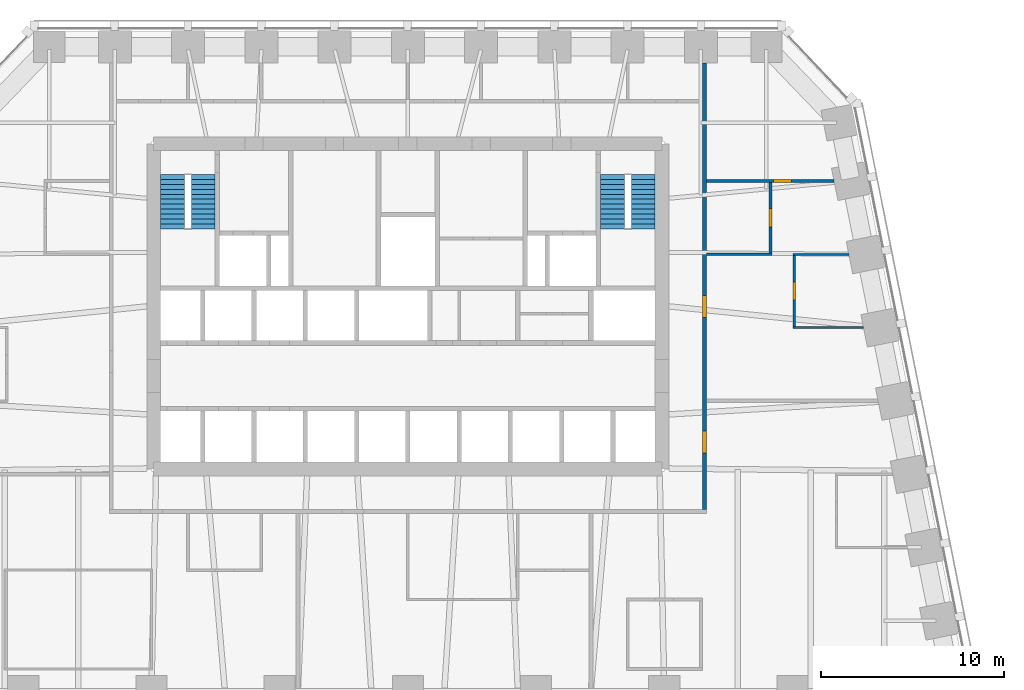
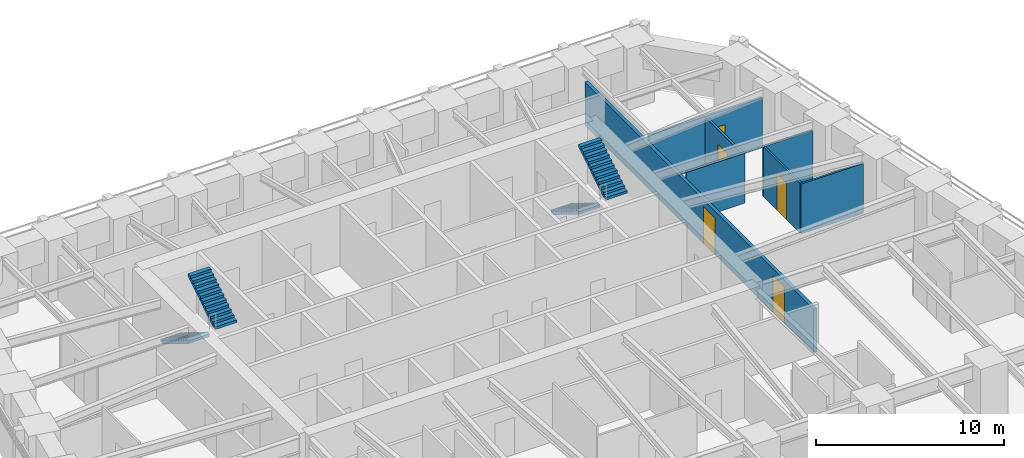
# One storey, part 8 of 10: 7 walls, 5 doors, 4 stair flights, 5 openings, 2 elements without a shape of their own.
"""IFC4 building model written with IfcOpenShell, lengths in metres."""

from ifc_helpers import new_model, si_unit, direction, frame, frame_2d, origin, place, context, subcontext, project, spatial, polyline, rectangle, outline, extrude, material, layer, layer_set, type_object, element, fill, aggregate, save


model = new_model("IFC4")

# Units and contexts
model_context = context("Model", 3, precision=1e-05, world=origin(), true_north=direction((0.0, 1.0)))
body_context = subcontext(model_context, "Body", "Model", "MODEL_VIEW")
ifc_project = project(units=[si_unit("LENGTHUNIT", "METRE"), si_unit("AREAUNIT", "SQUARE_METRE"), si_unit("VOLUMEUNIT", "CUBIC_METRE"), si_unit("PLANEANGLEUNIT", "RADIAN"), si_unit("MASSUNIT", "GRAM", prefix="KILO")], contexts=[model_context])

# Site, building, storey
site_placement = place(None, origin())
site = spatial("IfcSite", under=ifc_project, at=site_placement, CompositionType="ELEMENT")
building_placement = place(site_placement, origin())
building = spatial("IfcBuilding", under=site, at=building_placement, Name="Isbrekke Arena Tower", CompositionType="ELEMENT")
storey_placement = place(building_placement, frame((0.0, 0.0, 155.0)))
storey = spatial("IfcBuildingStorey", under=building, at=storey_placement, Name="L35", CompositionType="ELEMENT", Elevation=155.0)

# Wall
ifc_material_1 = material(Name="Gypsum board partition on steel studs", Category="steel")
ifc_layer_1 = layer(ifc_material_1, 0.14990234375)
ifc_layer_set_1 = layer_set([ifc_layer_1], Name="IW1 PARTITION 150")
wall_type_1 = type_object("IfcWallType", Name="IW1 PARTITION 150", PredefinedType="PARTITIONING", material=ifc_layer_set_1)
wall_1_placement = place(storey_placement, frame((16.300048828125, 17.840087890625, 0.0), z_axis=(0.0, 0.0, 1.0), x_axis=(1.0, 0.0, 0.0)))
element("IfcWall", 1, at=wall_1_placement, inside=storey, type_object=wall_type_1, Name="IW1 partition 150 L35", PredefinedType="PARTITIONING", context=body_context, shape_type="SweptSolid", body=[
    extrude(rectangle(XDim=3.574951171875, YDim=0.14990234375, at=frame_2d((1.78759765625, 0.0))), origin(), (0.0, 0.0, 1.0), 3.25),
])

# Wall, opening, door
wall_2_placement = place(storey_placement, frame((16.300048828125, 21.840087890625, 0.0), z_axis=(0.0, 0.0, 1.0), x_axis=(1.0, 0.0, 0.0)))
wall_2 = element("IfcWall", 2, at=wall_2_placement, inside=storey, type_object=wall_type_1, Name="IW1 partition 150 L35", PredefinedType="PARTITIONING", context=body_context, shape_type="SweptSolid", body=[
    extrude(rectangle(XDim=6.97265625, YDim=0.14990234375, at=frame_2d((3.486328125, 0.0))), origin(), (0.0, 0.0, 1.0), 3.25),
])
opening_1_placement = place(wall_2_placement, frame((3.6591796875, 0.0, 0.0)))
opening_1 = element("IfcOpeningElement", 3, at=opening_1_placement, cuts=wall_2, Name="Opening D10", PredefinedType="OPENING", context=body_context, shape_type="SweptSolid", body=[
    extrude(rectangle(XDim=1.0, YDim=2.300048828125, at=frame_2d((0.5, 1.14990234375))), frame((0.0, 0.08984375, 0.0), z_axis=(0.0, -1.0, 0.0), x_axis=(1.0, 0.0, 0.0)), (0.0, 0.0, 1.0), 0.1796875),
])
ifc_material_2 = material(Name="Timber door", Category="wood")
door_type_1 = type_object("IfcDoorType", Name="D10 OFFICE DOOR 1000 x 2300", OperationType="SINGLE_SWING_LEFT", PredefinedType="DOOR", material=ifc_material_2)
door_1_placement = place(opening_1_placement, origin())
door_1 = element("IfcDoor", 4, at=door_1_placement, inside=storey, type_object=door_type_1, Name="D10 office door L35", OperationType="SINGLE_SWING_LEFT", OverallHeight=2.300048828125, OverallWidth=1.0, PredefinedType="DOOR", context=body_context, shape_type="SweptSolid", body=[
    extrude(rectangle(XDim=1.0, YDim=2.300048828125, at=frame_2d((0.5, 1.14990234375))), frame((0.0, 0.07470703125, 0.0), z_axis=(0.0, -1.0, 0.0), x_axis=(1.0, 0.0, 0.0)), (0.0, 0.0, 1.0), 0.1494140625),
])
fill(opening_1, door_1)

wall_3_placement = place(storey_placement, frame((19.800048828125, 17.9150390625, 0.0), z_axis=(0.0, 0.0, 1.0), x_axis=(0.0, 1.0, 0.0)))
wall_3 = element("IfcWall", 5, at=wall_3_placement, inside=storey, type_object=wall_type_1, Name="IW1 partition 150 L35", PredefinedType="PARTITIONING", context=body_context, shape_type="SweptSolid", body=[
    extrude(rectangle(XDim=3.849853515625, YDim=0.14990234375, at=frame_2d((1.9248046875, 0.0))), origin(), (0.0, 0.0, 1.0), 3.25),
])
opening_2_placement = place(wall_3_placement, frame((1.425048828125, 0.0, 0.0)))
opening_2 = element("IfcOpeningElement", 6, at=opening_2_placement, cuts=wall_3, Name="Opening D10", PredefinedType="OPENING", context=body_context, shape_type="SweptSolid", body=[
    extrude(rectangle(XDim=1.0, YDim=2.300048828125, at=frame_2d((0.5, 1.14990234375))), frame((0.0, 0.08984375, 0.0), z_axis=(0.0, -1.0, 0.0), x_axis=(1.0, 0.0, 0.0)), (0.0, 0.0, 1.0), 0.1796875),
])
door_2_placement = place(opening_2_placement, origin())
door_2 = element("IfcDoor", 7, at=door_2_placement, inside=storey, type_object=door_type_1, Name="D10 tea point door L35", OperationType="SINGLE_SWING_LEFT", OverallHeight=2.300048828125, OverallWidth=1.0, PredefinedType="DOOR", context=body_context, shape_type="SweptSolid", body=[
    extrude(rectangle(XDim=1.0, YDim=2.300048828125, at=frame_2d((0.5, 1.14990234375))), frame((0.0, 0.07470703125, 0.0), z_axis=(0.0, -1.0, 0.0), x_axis=(1.0, 0.0, 0.0)), (0.0, 0.0, 1.0), 0.1494140625),
])
fill(opening_2, door_2)

# Walls
ifc_material_3 = material(Name="Frameless glazed partition, laminated acoustic glass", Category="glass")
ifc_layer_2 = layer(ifc_material_3, 0.1201171875)
ifc_layer_set_2 = layer_set([ifc_layer_2], Name="IW2 GLAZED PARTITION 120")
wall_type_2 = type_object("IfcWallType", Name="IW2 GLAZED PARTITION 120", PredefinedType="PARTITIONING", material=ifc_layer_set_2)
wall_4_placement = place(storey_placement, frame((21.0400390625, 13.840087890625, 0.0), z_axis=(0.0, 0.0, 1.0), x_axis=(1.0, 0.0, 0.0)))
element("IfcWall", 8, at=wall_4_placement, inside=storey, type_object=wall_type_2, Name="IW2 glazed partition 120 L35", PredefinedType="PARTITIONING", context=body_context, shape_type="SweptSolid", body=[
    extrude(rectangle(XDim=3.832763671875, YDim=0.1201171875, at=frame_2d((1.91650390625, 0.0))), origin(), (0.0, 0.0, 1.0), 3.25),
])
wall_5_placement = place(storey_placement, frame((21.0400390625, 17.840087890625, 0.0), z_axis=(0.0, 0.0, 1.0), x_axis=(1.0, 0.0, 0.0)))
element("IfcWall", 9, at=wall_5_placement, inside=storey, type_object=wall_type_2, Name="IW2 glazed partition 120 L35", PredefinedType="PARTITIONING", context=body_context, shape_type="SweptSolid", body=[
    extrude(rectangle(XDim=3.03271484375, YDim=0.1201171875, at=frame_2d((1.516357421875, 0.0))), origin(), (0.0, 0.0, 1.0), 3.25),
])

# Wall, opening, door
wall_6_placement = place(storey_placement, frame((21.10009765625, 13.89990234375, 0.0), z_axis=(0.0, 0.0, 1.0), x_axis=(0.0, 1.0, 0.0)))
wall_6 = element("IfcWall", 10, at=wall_6_placement, inside=storey, type_object=wall_type_2, Name="IW2 glazed partition 120 L35", PredefinedType="PARTITIONING", context=body_context, shape_type="SweptSolid", body=[
    extrude(rectangle(XDim=3.880126953125, YDim=0.1201171875, at=frame_2d((1.93994140625, 0.0))), origin(), (0.0, 0.0, 1.0), 3.25),
])
opening_3_placement = place(wall_6_placement, frame((1.43994140625, 0.0, 0.0)))
opening_3 = element("IfcOpeningElement", 11, at=opening_3_placement, cuts=wall_6, Name="Opening D11", PredefinedType="OPENING", context=body_context, shape_type="SweptSolid", body=[
    extrude(rectangle(XDim=1.0, YDim=2.39990234375, at=frame_2d((0.5, 1.199951171875))), frame((0.0, 0.074951171875, 0.0), z_axis=(0.0, -1.0, 0.0), x_axis=(1.0, 0.0, 0.0)), (0.0, 0.0, 1.0), 0.14990234375),
])
ifc_material_4 = material(Name="Frameless glazed door", Category="glass")
door_type_2 = type_object("IfcDoorType", Name="D11 GLAZED MEETING ROOM DOOR 1000 x 2400", OperationType="SINGLE_SWING_RIGHT", PredefinedType="DOOR", material=ifc_material_4)
door_3_placement = place(opening_3_placement, origin())
door_3 = element("IfcDoor", 12, at=door_3_placement, inside=storey, type_object=door_type_2, Name="D11 meeting room door L35", OperationType="SINGLE_SWING_RIGHT", OverallHeight=2.39990234375, OverallWidth=1.0, PredefinedType="DOOR", context=body_context, shape_type="SweptSolid", body=[
    extrude(rectangle(XDim=1.0, YDim=2.39990234375, at=frame_2d((0.5, 1.199951171875))), frame((0.0, 0.059814453125, 0.0), z_axis=(0.0, -1.0, 0.0), x_axis=(1.0, 0.0, 0.0)), (0.0, 0.0, 1.0), 0.11962890625),
])
fill(opening_3, door_3)

# Wall, openings, doors
ifc_material_5 = material(Name="Gypsum board fire-cell wall on steel studs, two layers each side", Category="steel")
ifc_layer_3 = layer(ifc_material_5, 0.199951171875)
ifc_layer_set_3 = layer_set([ifc_layer_3], Name="IW3 FIRE-CELL WALL 200")
wall_type_3 = type_object("IfcWallType", Name="IW3 FIRE-CELL WALL 200", PredefinedType="PARTITIONING", material=ifc_layer_set_3)
wall_7_placement = place(storey_placement, frame((16.199951171875, 3.89990234375, 0.0), z_axis=(0.0, 0.0, 1.0), x_axis=(0.0, 1.0, 0.0)))
wall_7 = element("IfcWall", 13, at=wall_7_placement, inside=storey, type_object=wall_type_3, Name="IW3 fire-cell wall 200 L35", PredefinedType="PARTITIONING", context=body_context, shape_type="SweptSolid", body=[
    extrude(rectangle(XDim=24.375, YDim=0.199951171875, at=frame_2d((12.1875, 0.0))), origin(), (0.0, 0.0, 1.0), 2.842041015625),
])
opening_4_placement = place(wall_7_placement, frame((3.10009765625, 0.0, 0.0)))
opening_4 = element("IfcOpeningElement", 14, at=opening_4_placement, cuts=wall_7, Name="Opening D12", PredefinedType="OPENING", context=body_context, shape_type="SweptSolid", body=[
    extrude(rectangle(XDim=1.199951171875, YDim=2.39990234375, at=frame_2d((0.60009765625, 1.199951171875))), frame((0.0, 0.11474609375, 0.0), z_axis=(0.0, -1.0, 0.0), x_axis=(1.0, 0.0, 0.0)), (0.0, 0.0, 1.0), 0.229736328125),
])
opening_5_placement = place(wall_7_placement, frame((10.5, 0.0, 0.0)))
opening_5 = element("IfcOpeningElement", 15, at=opening_5_placement, cuts=wall_7, Name="Opening D12", PredefinedType="OPENING", context=body_context, shape_type="SweptSolid", body=[
    extrude(rectangle(XDim=1.199951171875, YDim=2.39990234375, at=frame_2d((0.60009765625, 1.199951171875))), frame((0.0, 0.11474609375, 0.0), z_axis=(0.0, -1.0, 0.0), x_axis=(1.0, 0.0, 0.0)), (0.0, 0.0, 1.0), 0.229736328125),
])
ifc_material_6 = material(Name="Timber fire door with vision panel", Category="wood")
door_type_3 = type_object("IfcDoorType", Name="D12 SUITE ENTRANCE DOOR 1200 x 2400", OperationType="SINGLE_SWING_LEFT", PredefinedType="DOOR", material=ifc_material_6)
door_4_placement = place(opening_4_placement, origin())
door_4 = element("IfcDoor", 16, at=door_4_placement, inside=storey, type_object=door_type_3, Name="D12 suite entrance SE door L35", OperationType="SINGLE_SWING_LEFT", OverallHeight=2.39990234375, OverallWidth=1.199951171875, PredefinedType="DOOR", context=body_context, shape_type="SweptSolid", body=[
    extrude(rectangle(XDim=1.199951171875, YDim=2.39990234375, at=frame_2d((0.60009765625, 1.199951171875))), frame((0.0, 0.099609375, 0.0), z_axis=(0.0, -1.0, 0.0), x_axis=(1.0, 0.0, 0.0)), (0.0, 0.0, 1.0), 0.199462890625),
])
fill(opening_4, door_4)
door_5_placement = place(opening_5_placement, origin())
door_5 = element("IfcDoor", 17, at=door_5_placement, inside=storey, type_object=door_type_3, Name="D12 suite entrance NE door L35", OperationType="SINGLE_SWING_LEFT", OverallHeight=2.39990234375, OverallWidth=1.199951171875, PredefinedType="DOOR", context=body_context, shape_type="SweptSolid", body=[
    extrude(rectangle(XDim=1.199951171875, YDim=2.39990234375, at=frame_2d((0.60009765625, 1.199951171875))), frame((0.0, 0.099609375, 0.0), z_axis=(0.0, -1.0, 0.0), x_axis=(1.0, 0.0, 0.0)), (0.0, 0.0, 1.0), 0.199462890625),
])
fill(opening_5, door_5)

# Stair, stair flights
ifc_material_7 = material(Name="Concrete B45 (C45/55) precast", Category="concrete")
stair_type = type_object("IfcStairType", Name="ST40 STAIR 1300 WIDE, 24 RISERS 167", PredefinedType="HALF_TURN_STAIR", material=ifc_material_7)
stair_1_placement = place(storey_placement, origin())
stair_1 = element("IfcStair", 18, at=stair_1_placement, inside=storey, type_object=stair_type, Name="ST1 stair L35", PredefinedType="HALF_TURN_STAIR")
ifc_material_8 = material(Name="Concrete B45 (C45/55) precast", Category="concrete")
stair_flight_type = type_object("IfcStairFlightType", Name="SF 1300 FLIGHT", PredefinedType="STRAIGHT", material=ifc_material_8)
stair_flight_1_placement = place(storey_placement, frame((-12.85009765625, 22.199951171875, 0.0), z_axis=(0.0, 0.0, 1.0), x_axis=(0.0, -1.0, 0.0)))
stair_flight_1 = element("IfcStairFlight", 19, at=stair_flight_1_placement, type_object=stair_flight_type, Name="ST1 flight 1", NumberOfRisers=12, NumberOfTreads=11, PredefinedType="STRAIGHT", RiserHeight=0.166666667, TreadLength=0.27, context=body_context, shape_type="SweptSolid", body=[
    extrude(outline(polyline([(0.0, 0.0), (0.0, 0.166748046875), (0.27001953125, 0.166748046875), (0.27001953125, 0.333251953125), (0.5400390625, 0.333251953125), (0.5400390625, 0.5), (0.81005859375, 0.5), (0.81005859375, 0.666748046875), (1.080078125, 0.666748046875), (1.080078125, 0.833251953125), (1.35009765625, 0.833251953125), (1.35009765625, 1.0), (1.6201171875, 1.0), (1.6201171875, 1.166748046875), (1.889892578125, 1.166748046875), (1.889892578125, 1.333251953125), (2.159912109375, 1.333251953125), (2.159912109375, 1.5), (2.429931640625, 1.5), (2.429931640625, 1.666748046875), (2.699951171875, 1.666748046875), (2.699951171875, 1.833251953125), (2.969970703125, 1.833251953125), (2.969970703125, 2.0), (2.969970703125, 1.6572265625), (0.285400390625, 0.0), (0.0, 0.0)])), frame((0.0, 0.64990234375, 0.0), z_axis=(0.0, -1.0, 0.0), x_axis=(1.0, 0.0, 0.0)), (0.0, 0.0, 1.0), 1.300048828125),
])
stair_flight_2_placement = place(storey_placement, frame((-11.175048828125, 19.22998046875, 2.0), z_axis=(0.0, 0.0, 1.0), x_axis=(0.0, 1.0, 0.0)))
stair_flight_2 = element("IfcStairFlight", 20, at=stair_flight_2_placement, type_object=stair_flight_type, Name="ST1 flight 2", NumberOfRisers=12, NumberOfTreads=11, PredefinedType="STRAIGHT", RiserHeight=0.166666667, TreadLength=0.27, context=body_context, shape_type="SweptSolid", body=[
    extrude(outline(polyline([(0.0, 0.0), (0.0, 0.166748046875), (0.27001953125, 0.166748046875), (0.27001953125, 0.333251953125), (0.5400390625, 0.333251953125), (0.5400390625, 0.5), (0.81005859375, 0.5), (0.81005859375, 0.666748046875), (1.080078125, 0.666748046875), (1.080078125, 0.833251953125), (1.35009765625, 0.833251953125), (1.35009765625, 1.0), (1.6201171875, 1.0), (1.6201171875, 1.166748046875), (1.889892578125, 1.166748046875), (1.889892578125, 1.333251953125), (2.159912109375, 1.333251953125), (2.159912109375, 1.5), (2.429931640625, 1.5), (2.429931640625, 1.666748046875), (2.699951171875, 1.666748046875), (2.699951171875, 1.833251953125), (2.969970703125, 1.833251953125), (2.969970703125, 2.0), (2.969970703125, 1.6572265625), (0.285400390625, 0.0), (0.0, 0.0)])), frame((0.0, 0.64990234375, 0.0), z_axis=(0.0, -1.0, 0.0), x_axis=(1.0, 0.0, 0.0)), (0.0, 0.0, 1.0), 1.300048828125),
])
aggregate(stair_1, [stair_flight_1, stair_flight_2])

stair_2_placement = place(storey_placement, origin())
stair_2 = element("IfcStair", 21, at=stair_2_placement, inside=storey, type_object=stair_type, Name="ST2 stair L35", PredefinedType="HALF_TURN_STAIR")
stair_flight_3_placement = place(storey_placement, frame((11.175048828125, 22.199951171875, 0.0), z_axis=(0.0, 0.0, 1.0), x_axis=(0.0, -1.0, 0.0)))
stair_flight_3 = element("IfcStairFlight", 22, at=stair_flight_3_placement, type_object=stair_flight_type, Name="ST2 flight 1", NumberOfRisers=12, NumberOfTreads=11, PredefinedType="STRAIGHT", RiserHeight=0.166666667, TreadLength=0.27, context=body_context, shape_type="SweptSolid", body=[
    extrude(outline(polyline([(0.0, 0.0), (0.0, 0.166748046875), (0.27001953125, 0.166748046875), (0.27001953125, 0.333251953125), (0.5400390625, 0.333251953125), (0.5400390625, 0.5), (0.81005859375, 0.5), (0.81005859375, 0.666748046875), (1.080078125, 0.666748046875), (1.080078125, 0.833251953125), (1.35009765625, 0.833251953125), (1.35009765625, 1.0), (1.6201171875, 1.0), (1.6201171875, 1.166748046875), (1.889892578125, 1.166748046875), (1.889892578125, 1.333251953125), (2.159912109375, 1.333251953125), (2.159912109375, 1.5), (2.429931640625, 1.5), (2.429931640625, 1.666748046875), (2.699951171875, 1.666748046875), (2.699951171875, 1.833251953125), (2.969970703125, 1.833251953125), (2.969970703125, 2.0), (2.969970703125, 1.6572265625), (0.285400390625, 0.0), (0.0, 0.0)])), frame((0.0, 0.64990234375, 0.0), z_axis=(0.0, -1.0, 0.0), x_axis=(1.0, 0.0, 0.0)), (0.0, 0.0, 1.0), 1.300048828125),
])
stair_flight_4_placement = place(storey_placement, frame((12.85009765625, 19.22998046875, 2.0), z_axis=(0.0, 0.0, 1.0), x_axis=(0.0, 1.0, 0.0)))
stair_flight_4 = element("IfcStairFlight", 23, at=stair_flight_4_placement, type_object=stair_flight_type, Name="ST2 flight 2", NumberOfRisers=12, NumberOfTreads=11, PredefinedType="STRAIGHT", RiserHeight=0.166666667, TreadLength=0.27, context=body_context, shape_type="SweptSolid", body=[
    extrude(outline(polyline([(0.0, 0.0), (0.0, 0.166748046875), (0.27001953125, 0.166748046875), (0.27001953125, 0.333251953125), (0.5400390625, 0.333251953125), (0.5400390625, 0.5), (0.81005859375, 0.5), (0.81005859375, 0.666748046875), (1.080078125, 0.666748046875), (1.080078125, 0.833251953125), (1.35009765625, 0.833251953125), (1.35009765625, 1.0), (1.6201171875, 1.0), (1.6201171875, 1.166748046875), (1.889892578125, 1.166748046875), (1.889892578125, 1.333251953125), (2.159912109375, 1.333251953125), (2.159912109375, 1.5), (2.429931640625, 1.5), (2.429931640625, 1.666748046875), (2.699951171875, 1.666748046875), (2.699951171875, 1.833251953125), (2.969970703125, 1.833251953125), (2.969970703125, 2.0), (2.969970703125, 1.6572265625), (0.285400390625, 0.0), (0.0, 0.0)])), frame((0.0, 0.64990234375, 0.0), z_axis=(0.0, -1.0, 0.0), x_axis=(1.0, 0.0, 0.0)), (0.0, 0.0, 1.0), 1.300048828125),
])
aggregate(stair_2, [stair_flight_3, stair_flight_4])

save(model, "model.ifc")
